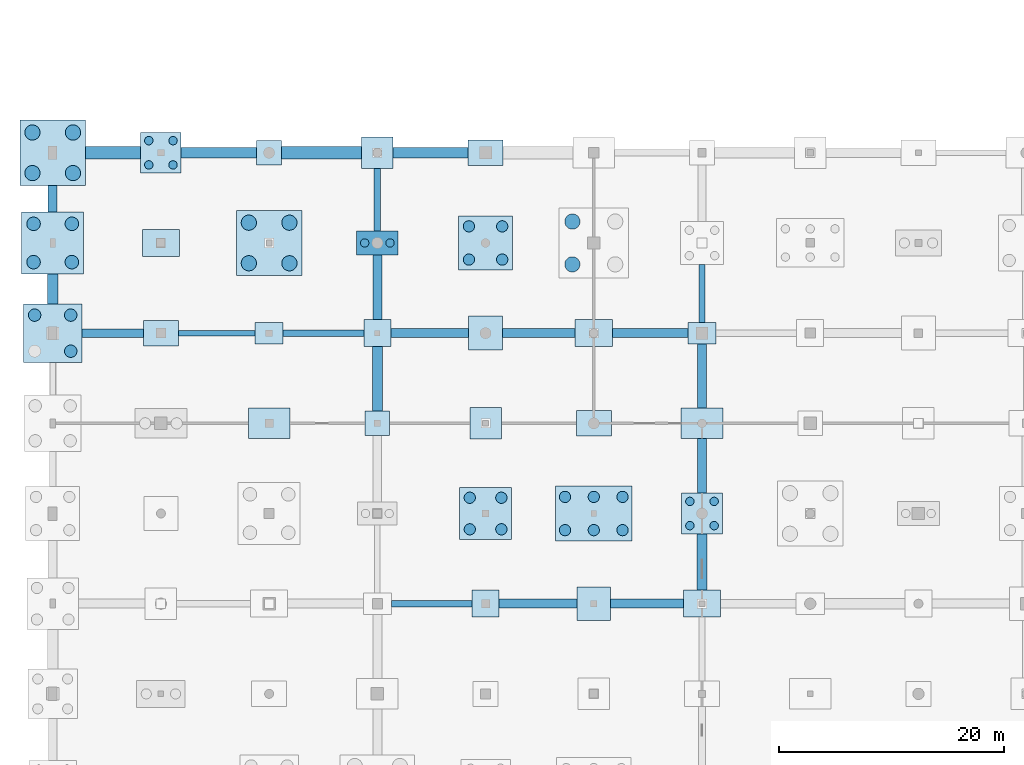
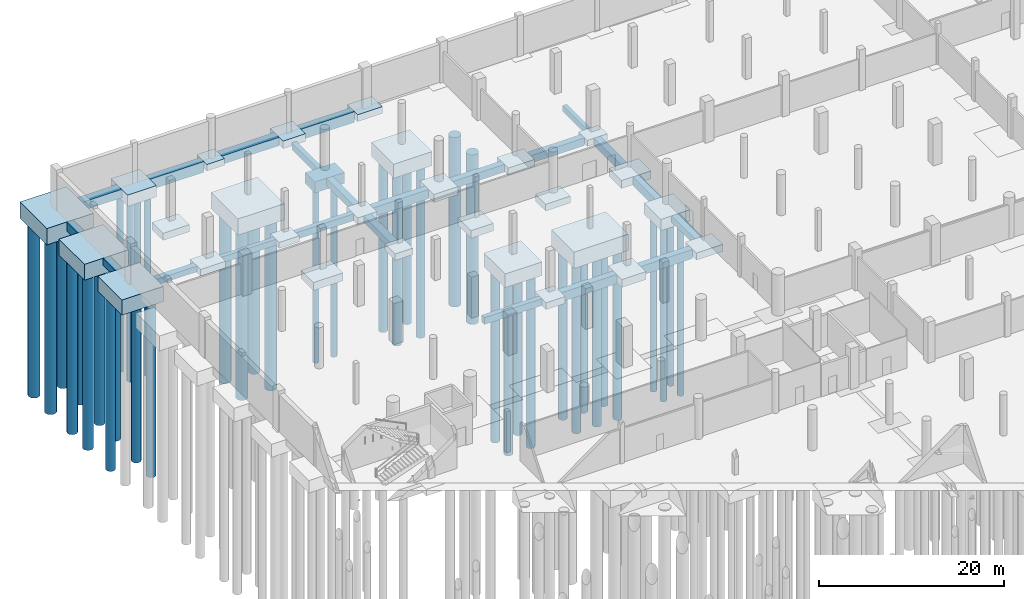
# One storey, part 7 of 44: 50 footings, 41 piles.
"""IFC4 building model written with IfcOpenShell, lengths in metres."""

from ifc_helpers import new_model, si_unit, direction, frame, origin, origin_2d, place, context, subcontext, project, spatial, rectangle, circle, extrude, material, material_profile, profile_set, type_object, element, save


model = new_model("IFC4")

# Units and contexts
model_context = context("Model", 3, precision=1e-05, world=origin(), true_north=direction((0.0, 1.0)))
body_context = subcontext(model_context, "Body", "Model", "MODEL_VIEW")
ifc_project = project(units=[si_unit("LENGTHUNIT", "METRE"), si_unit("AREAUNIT", "SQUARE_METRE"), si_unit("VOLUMEUNIT", "CUBIC_METRE"), si_unit("PLANEANGLEUNIT", "RADIAN"), si_unit("MASSUNIT", "GRAM", prefix="KILO")], contexts=[model_context])

# Site, building, storey
site_placement = place(None, origin())
site = spatial("IfcSite", under=ifc_project, at=site_placement, CompositionType="ELEMENT")
building_placement = place(site_placement, origin())
building = spatial("IfcBuilding", under=site, at=building_placement, Name="Danafjord Basin Convention Centre", CompositionType="ELEMENT")
storey_placement = place(building_placement, frame((0.0, 0.0, -5.39990234375)))
storey = spatial("IfcBuildingStorey", under=building, at=storey_placement, Name="B1", CompositionType="ELEMENT", Elevation=-5.39990234375)

# Footings
ifc_material_1 = material(Name="Concrete C40/50", Category="concrete")
footing_type_1 = type_object("IfcFootingType", Name="CAP-PC-02", PredefinedType="PILE_CAP", material=ifc_material_1)
footing_1_placement = place(storey_placement, frame((28.800048828125, 104.0, -2.05029296875), z_axis=(0.0, 0.0, 1.0), x_axis=(1.0, 0.0, 0.0)))
element("IfcFooting", 1, at=footing_1_placement, inside=storey, type_object=footing_type_1, Name="B1 pile cap PC-02 at (28.8, 104.0)", PredefinedType="PILE_CAP", context=body_context, shape_type="SweptSolid", body=[
    extrude(rectangle(XDim=3.699951171875, YDim=2.10009765625, at=origin_2d()), origin(), (0.0, 0.0, 1.0), 1.449951171875),
])
footing_type_2 = type_object("IfcFootingType", Name="CAP-PC-06", PredefinedType="PILE_CAP", material=ifc_material_1)
for number, where, z_axis, x_axis, name in (
    (2, (9.60009765625, 112.0, -1.5), (0.0, 0.0, 1.0), (1.0, 0.0, 0.0), "B1 pile cap PC-06 at (9.6, 112.0)"),
    (3, (57.60009765625, 80.0, -2.10009765625), (0.0, 0.0, 1.0), (1.0, 0.0, 0.0), "B1 pile cap PC-06 at (57.6, 80.0)"),
):
    element("IfcFooting", number, at=place(storey_placement, frame(where, z_axis=z_axis, x_axis=x_axis)), inside=storey, type_object=footing_type_2, Name=name, PredefinedType="PILE_CAP", context=body_context, shape_type="SweptSolid", body=[
        extrude(rectangle(XDim=3.60009765625, YDim=3.60009765625, at=origin_2d()), origin(), (0.0, 0.0, 1.0), 1.5),
    ])
footing_type_3 = type_object("IfcFootingType", Name="CAP-PC-10", PredefinedType="PILE_CAP", material=ifc_material_1)
footing_2_placement = place(storey_placement, frame((38.39990234375, 80.0, -2.39990234375), z_axis=(0.0, 0.0, 1.0), x_axis=(1.0, 0.0, 0.0)))
element("IfcFooting", 4, at=footing_2_placement, inside=storey, type_object=footing_type_3, Name="B1 pile cap PC-10 at (38.4, 80.0)", PredefinedType="PILE_CAP", context=body_context, shape_type="SweptSolid", body=[
    extrude(rectangle(XDim=4.60009765625, YDim=4.60009765625, at=origin_2d()), origin(), (0.0, 0.0, 1.0), 1.800048828125),
])
footing_type_4 = type_object("IfcFootingType", Name="CAP-PC-11", PredefinedType="PILE_CAP", material=ifc_material_1)
footing_3_placement = place(storey_placement, frame((38.39990234375, 104.0, -2.4501953125), z_axis=(0.0, 0.0, 1.0), x_axis=(1.0, 0.0, 0.0)))
element("IfcFooting", 5, at=footing_3_placement, inside=storey, type_object=footing_type_4, Name="B1 pile cap PC-11 at (38.4, 104.0)", PredefinedType="PILE_CAP", context=body_context, shape_type="SweptSolid", body=[
    extrude(rectangle(XDim=4.800048828125, YDim=4.800048828125, at=origin_2d()), origin(), (0.0, 0.0, 1.0), 1.85009765625),
])
footing_type_5 = type_object("IfcFootingType", Name="CAP-PC-13", PredefinedType="PILE_CAP", material=ifc_material_1)
footing_4_placement = place(storey_placement, frame((0.0, 96.0, -2.0), z_axis=(0.0, 0.0, 1.0), x_axis=(1.0, 0.0, 0.0)))
element("IfcFooting", 6, at=footing_4_placement, inside=storey, type_object=footing_type_5, Name="B1 pile cap PC-13 at (0.0, 96.0)", PredefinedType="PILE_CAP", context=body_context, shape_type="SweptSolid", body=[
    extrude(rectangle(XDim=5.199951171875, YDim=5.199951171875, at=origin_2d()), origin(), (0.0, 0.0, 1.0), 2.0),
])
footing_type_6 = type_object("IfcFootingType", Name="CAP-PC-14", PredefinedType="PILE_CAP", material=ifc_material_1)
footing_5_placement = place(storey_placement, frame((0.0, 104.0, -2.10009765625), z_axis=(0.0, 0.0, 1.0), x_axis=(1.0, 0.0, 0.0)))
element("IfcFooting", 7, at=footing_5_placement, inside=storey, type_object=footing_type_6, Name="B1 pile cap PC-14 at (0.0, 104.0)", PredefinedType="PILE_CAP", context=body_context, shape_type="SweptSolid", body=[
    extrude(rectangle(XDim=5.5, YDim=5.5, at=origin_2d()), origin(), (0.0, 0.0, 1.0), 2.10009765625),
])
footing_type_7 = type_object("IfcFootingType", Name="CAP-PC-15", PredefinedType="PILE_CAP", material=ifc_material_1)
for number, where, z_axis, x_axis, name in (
    (8, (0.0, 112.0, -2.150146484375), (0.0, 0.0, 1.0), (1.0, 0.0, 0.0), "B1 pile cap PC-15 at (0.0, 112.0)"),
    (9, (19.199951171875, 104.0, -2.75), (0.0, 0.0, 1.0), (1.0, 0.0, 0.0), "B1 pile cap PC-15 at (19.2, 104.0)"),
):
    element("IfcFooting", number, at=place(storey_placement, frame(where, z_axis=z_axis, x_axis=x_axis)), inside=storey, type_object=footing_type_7, Name=name, PredefinedType="PILE_CAP", context=body_context, shape_type="SweptSolid", body=[
        extrude(rectangle(XDim=5.800048828125, YDim=5.800048828125, at=origin_2d()), origin(), (0.0, 0.0, 1.0), 2.14990234375),
    ])
footing_type_8 = type_object("IfcFootingType", Name="CAP-PC-19", PredefinedType="PILE_CAP", material=ifc_material_1)
footing_6_placement = place(storey_placement, frame((48.0, 80.0, -2.75), z_axis=(0.0, 0.0, 1.0), x_axis=(1.0, 0.0, 0.0)))
element("IfcFooting", 10, at=footing_6_placement, inside=storey, type_object=footing_type_8, Name="B1 pile cap PC-19 at (48.0, 80.0)", PredefinedType="PILE_CAP", context=body_context, shape_type="SweptSolid", body=[
    extrude(rectangle(XDim=6.800048828125, YDim=4.89990234375, at=origin_2d()), origin(), (0.0, 0.0, 1.0), 2.14990234375),
])
ifc_material_profile_1 = material_profile(ifc_material_1, rectangle(XDim=0.800048828125, YDim=1.0, at=origin_2d()), Name="GB 800x1000")
ifc_profile_set_1 = profile_set([ifc_material_profile_1], Name="Concrete C40/50")
footing_type_9 = type_object("IfcFootingType", Name="FBM-FB-01", PredefinedType="FOOTING_BEAM", material=ifc_profile_set_1)
footing_7_placement = place(storey_placement, frame((28.800048828125, 97.199951171875, -1.10009765625), z_axis=(0.0, 1.0, 0.0), x_axis=(-1.0, 0.0, 0.0)))
element("IfcFooting", 11, at=footing_7_placement, inside=storey, type_object=footing_type_9, Name="B1 foundation tie beam FB-01", PredefinedType="FOOTING_BEAM", context=body_context, shape_type="SweptSolid", body=[
    extrude(rectangle(XDim=0.800048828125, YDim=1.0, at=origin_2d()), origin(), (0.0, 0.0, 1.0), 5.75),
])
footing_8_placement = place(storey_placement, frame((39.89990234375, 96.0, -1.10009765625), z_axis=(1.0, 0.0, 0.0), x_axis=(0.0, 1.0, 0.0)))
element("IfcFooting", 12, at=footing_8_placement, inside=storey, type_object=footing_type_9, Name="B1 foundation beam FB-01", PredefinedType="FOOTING_BEAM", context=body_context, shape_type="SweptSolid", body=[
    extrude(rectangle(XDim=0.800048828125, YDim=1.0, at=origin_2d()), origin(), (0.0, 0.0, 1.0), 6.4501953125),
])
footing_9_placement = place(storey_placement, frame((49.64990234375, 96.0, -1.10009765625), z_axis=(1.0, 0.0, 0.0), x_axis=(0.0, 1.0, 0.0)))
element("IfcFooting", 13, at=footing_9_placement, inside=storey, type_object=footing_type_9, Name="B1 foundation beam FB-01", PredefinedType="FOOTING_BEAM", context=body_context, shape_type="SweptSolid", body=[
    extrude(rectangle(XDim=0.800048828125, YDim=1.0, at=origin_2d()), origin(), (0.0, 0.0, 1.0), 6.7001953125),
])
footing_10_placement = place(storey_placement, frame((57.60009765625, 89.35009765625, -1.10009765625), z_axis=(0.0, 1.0, 0.0), x_axis=(-1.0, 0.0, 0.0)))
element("IfcFooting", 14, at=footing_10_placement, inside=storey, type_object=footing_type_9, Name="B1 foundation tie beam FB-01", PredefinedType="FOOTING_BEAM", context=body_context, shape_type="SweptSolid", body=[
    extrude(rectangle(XDim=0.800048828125, YDim=1.0, at=origin_2d()), origin(), (0.0, 0.0, 1.0), 5.699951171875),
])
ifc_material_profile_2 = material_profile(ifc_material_1, rectangle(XDim=0.60009765625, YDim=0.89990234375, at=origin_2d()), Name="GB 600x900")
ifc_profile_set_2 = profile_set([ifc_material_profile_2], Name="Concrete C40/50")
footing_type_10 = type_object("IfcFootingType", Name="FBM-FB-02", PredefinedType="FOOTING_BEAM", material=ifc_profile_set_2)
footing_11_placement = place(storey_placement, frame((20.449951171875, 96.0, -1.050048828125), z_axis=(1.0, 0.0, 0.0), x_axis=(0.0, 1.0, 0.0)))
element("IfcFooting", 15, at=footing_11_placement, inside=storey, type_object=footing_type_10, Name="B1 foundation beam FB-02", PredefinedType="FOOTING_BEAM", context=body_context, shape_type="SweptSolid", body=[
    extrude(rectangle(XDim=0.60009765625, YDim=0.89990234375, at=origin_2d()), origin(), (0.0, 0.0, 1.0), 7.150146484375),
])
footing_12_placement = place(storey_placement, frame((30.050048828125, 72.0, -1.050048828125), z_axis=(1.0, 0.0, 0.0), x_axis=(0.0, 1.0, 0.0)))
element("IfcFooting", 16, at=footing_12_placement, inside=storey, type_object=footing_type_10, Name="B1 foundation beam FB-02", PredefinedType="FOOTING_BEAM", context=body_context, shape_type="SweptSolid", body=[
    extrude(rectangle(XDim=0.60009765625, YDim=0.89990234375, at=origin_2d()), origin(), (0.0, 0.0, 1.0), 7.14990234375),
])
footing_13_placement = place(storey_placement, frame((28.800048828125, 105.050048828125, -1.050048828125), z_axis=(0.0, 1.0, 0.0), x_axis=(-1.0, 0.0, 0.0)))
element("IfcFooting", 17, at=footing_13_placement, inside=storey, type_object=footing_type_10, Name="B1 foundation tie beam FB-02", PredefinedType="FOOTING_BEAM", context=body_context, shape_type="SweptSolid", body=[
    extrude(rectangle(XDim=0.60009765625, YDim=0.89990234375, at=origin_2d()), origin(), (0.0, 0.0, 1.0), 5.550048828125),
])
ifc_material_profile_3 = material_profile(ifc_material_1, rectangle(XDim=0.5, YDim=0.800048828125, at=origin_2d()), Name="PCB 500x800")
ifc_profile_set_3 = profile_set([ifc_material_profile_3], Name="Concrete C40/50")
footing_type_11 = type_object("IfcFootingType", Name="FBM-FB-03", PredefinedType="FOOTING_BEAM", material=ifc_profile_set_3)
footing_14_placement = place(storey_placement, frame((11.14990234375, 96.0, -1.0), z_axis=(1.0, 0.0, 0.0), x_axis=(0.0, 1.0, 0.0)))
element("IfcFooting", 18, at=footing_14_placement, inside=storey, type_object=footing_type_11, Name="B1 foundation beam FB-03", PredefinedType="FOOTING_BEAM", context=body_context, shape_type="SweptSolid", body=[
    extrude(rectangle(XDim=0.5, YDim=0.800048828125, at=origin_2d()), origin(), (0.0, 0.0, 1.0), 6.800048828125),
])
footing_15_placement = place(storey_placement, frame((57.60009765625, 96.949951171875, -1.0), z_axis=(0.0, 1.0, 0.0), x_axis=(-1.0, 0.0, 0.0)))
element("IfcFooting", 19, at=footing_15_placement, inside=storey, type_object=footing_type_11, Name="B1 foundation tie beam FB-03", PredefinedType="FOOTING_BEAM", context=body_context, shape_type="SweptSolid", body=[
    extrude(rectangle(XDim=0.5, YDim=0.800048828125, at=origin_2d()), origin(), (0.0, 0.0, 1.0), 5.150146484375),
])
ifc_material_profile_4 = material_profile(ifc_material_1, rectangle(XDim=0.75, YDim=0.75, at=origin_2d()), Name="RC 750x750")
ifc_profile_set_4 = profile_set([ifc_material_profile_4], Name="Concrete C40/50")
footing_type_12 = type_object("IfcFootingType", Name="FBM-FB-04", PredefinedType="FOOTING_BEAM", material=ifc_profile_set_4)
footing_16_placement = place(storey_placement, frame((2.60009765625, 96.0, -0.97509765625), z_axis=(1.0, 0.0, 0.0), x_axis=(0.0, 1.0, 0.0)))
element("IfcFooting", 20, at=footing_16_placement, inside=storey, type_object=footing_type_12, Name="B1 foundation beam FB-04", PredefinedType="FOOTING_BEAM", context=body_context, shape_type="SweptSolid", body=[
    extrude(rectangle(XDim=0.75, YDim=0.75, at=origin_2d()), origin(), (0.0, 0.0, 1.0), 5.449951171875),
])
ifc_material_profile_5 = material_profile(ifc_material_1, rectangle(XDim=0.89990234375, YDim=0.89990234375, at=origin_2d()), Name="RC 900x900")
ifc_profile_set_5 = profile_set([ifc_material_profile_5], Name="Concrete C40/50")
footing_type_13 = type_object("IfcFootingType", Name="FBM-FB-05", PredefinedType="FOOTING_BEAM", material=ifc_profile_set_5)
footing_17_placement = place(storey_placement, frame((0.0, 98.60009765625, -0.4501953125), z_axis=(0.0, 1.0, 0.0), x_axis=(-1.0, 0.0, 0.0)))
element("IfcFooting", 21, at=footing_17_placement, inside=storey, type_object=footing_type_13, Name="B1 foundation tie beam FB-05", PredefinedType="FOOTING_BEAM", context=body_context, shape_type="SweptSolid", body=[
    extrude(rectangle(XDim=0.89990234375, YDim=0.89990234375, at=origin_2d()), origin(), (0.0, 0.0, 1.0), 2.64990234375),
])
footing_18_placement = place(storey_placement, frame((28.800048828125, 89.10009765625, -1.050048828125), z_axis=(0.0, 1.0, 0.0), x_axis=(-1.0, 0.0, 0.0)))
element("IfcFooting", 22, at=footing_18_placement, inside=storey, type_object=footing_type_13, Name="B1 foundation tie beam FB-05", PredefinedType="FOOTING_BEAM", context=body_context, shape_type="SweptSolid", body=[
    extrude(rectangle(XDim=0.89990234375, YDim=0.89990234375, at=origin_2d()), origin(), (0.0, 0.0, 1.0), 5.699951171875),
])
footing_19_placement = place(storey_placement, frame((57.60009765625, 73.199951171875, -1.050048828125), z_axis=(0.0, 1.0, 0.0), x_axis=(-1.0, 0.0, 0.0)))
element("IfcFooting", 23, at=footing_19_placement, inside=storey, type_object=footing_type_13, Name="B1 foundation tie beam FB-05", PredefinedType="FOOTING_BEAM", context=body_context, shape_type="SweptSolid", body=[
    extrude(rectangle(XDim=0.89990234375, YDim=0.89990234375, at=origin_2d()), origin(), (0.0, 0.0, 1.0), 5.0),
])
ifc_material_profile_6 = material_profile(ifc_material_1, rectangle(XDim=0.800048828125, YDim=1.199951171875, at=origin_2d()), Name="RC 1200x800")
ifc_profile_set_6 = profile_set([ifc_material_profile_6], Name="Concrete C40/50")
footing_type_14 = type_object("IfcFootingType", Name="FBM-FB-06", PredefinedType="FOOTING_BEAM", material=ifc_profile_set_6)
footing_20_placement = place(storey_placement, frame((0.0, 106.75, -0.60009765625), z_axis=(0.0, 1.0, 0.0), x_axis=(-1.0, 0.0, 0.0)))
element("IfcFooting", 24, at=footing_20_placement, inside=storey, type_object=footing_type_14, Name="B1 foundation tie beam FB-06", PredefinedType="FOOTING_BEAM", context=body_context, shape_type="SweptSolid", body=[
    extrude(rectangle(XDim=0.800048828125, YDim=1.199951171875, at=origin_2d()), origin(), (0.0, 0.0, 1.0), 2.35009765625),
])
for number, where, z_axis, x_axis, name in (
    (25, (30.0, 96.0, -1.2001953125), (1.0, 0.0, 0.0), (0.0, 1.0, 0.0), "B1 foundation beam FB-06"),
    (26, (39.60009765625, 72.0, -1.2001953125), (1.0, 0.0, 0.0), (0.0, 1.0, 0.0), "B1 foundation beam FB-06"),
):
    element("IfcFooting", number, at=place(storey_placement, frame(where, z_axis=z_axis, x_axis=x_axis)), inside=storey, type_object=footing_type_14, Name=name, PredefinedType="FOOTING_BEAM", context=body_context, shape_type="SweptSolid", body=[
        extrude(rectangle(XDim=0.800048828125, YDim=1.199951171875, at=origin_2d()), origin(), (0.0, 0.0, 1.0), 6.89990234375),
    ])
footing_21_placement = place(storey_placement, frame((49.5, 72.0, -1.2001953125), z_axis=(1.0, 0.0, 0.0), x_axis=(0.0, 1.0, 0.0)))
element("IfcFooting", 27, at=footing_21_placement, inside=storey, type_object=footing_type_14, Name="B1 foundation beam FB-06", PredefinedType="FOOTING_BEAM", context=body_context, shape_type="SweptSolid", body=[
    extrude(rectangle(XDim=0.800048828125, YDim=1.199951171875, at=origin_2d()), origin(), (0.0, 0.0, 1.0), 6.449951171875),
])
footing_22_placement = place(storey_placement, frame((57.60009765625, 81.800048828125, -1.2001953125), z_axis=(0.0, 1.0, 0.0), x_axis=(-1.0, 0.0, 0.0)))
element("IfcFooting", 28, at=footing_22_placement, inside=storey, type_object=footing_type_14, Name="B1 foundation tie beam FB-06", PredefinedType="FOOTING_BEAM", context=body_context, shape_type="SweptSolid", body=[
    extrude(rectangle(XDim=0.800048828125, YDim=1.199951171875, at=origin_2d()), origin(), (0.0, 0.0, 1.0), 4.849853515625),
])
ifc_material_profile_7 = material_profile(ifc_material_1, rectangle(XDim=1.10009765625, YDim=1.10009765625, at=origin_2d()), Name="RC 1100x1100")
ifc_profile_set_7 = profile_set([ifc_material_profile_7], Name="Concrete C40/50")
footing_type_15 = type_object("IfcFootingType", Name="FBM-SF-01", PredefinedType="STRIP_FOOTING", material=ifc_profile_set_7)
footing_23_placement = place(storey_placement, frame((2.89990234375, 112.0, -0.550048828125), z_axis=(1.0, 0.0, 0.0), x_axis=(0.0, 1.0, 0.0)))
element("IfcFooting", 29, at=footing_23_placement, inside=storey, type_object=footing_type_15, Name="B1 foundation beam SF-01", PredefinedType="STRIP_FOOTING", context=body_context, shape_type="SweptSolid", body=[
    extrude(rectangle(XDim=1.10009765625, YDim=1.10009765625, at=origin_2d()), origin(), (0.0, 0.0, 1.0), 4.900146484375),
])
footing_24_placement = place(storey_placement, frame((20.300048828125, 112.0, -0.550048828125), z_axis=(1.0, 0.0, 0.0), x_axis=(0.0, 1.0, 0.0)))
element("IfcFooting", 30, at=footing_24_placement, inside=storey, type_object=footing_type_15, Name="B1 foundation beam SF-01", PredefinedType="STRIP_FOOTING", context=body_context, shape_type="SweptSolid", body=[
    extrude(rectangle(XDim=1.10009765625, YDim=1.10009765625, at=origin_2d()), origin(), (0.0, 0.0, 1.0), 7.099853515625),
])
ifc_material_profile_8 = material_profile(ifc_material_1, rectangle(XDim=0.89990234375, YDim=1.39990234375, at=origin_2d()), Name="RC 1400x900")
ifc_profile_set_8 = profile_set([ifc_material_profile_8], Name="Concrete C40/50")
footing_type_16 = type_object("IfcFootingType", Name="FBM-SF-02", PredefinedType="STRIP_FOOTING", material=ifc_profile_set_8)
footing_25_placement = place(storey_placement, frame((11.39990234375, 112.0, -0.7001953125), z_axis=(1.0, 0.0, 0.0), x_axis=(0.0, 1.0, 0.0)))
element("IfcFooting", 31, at=footing_25_placement, inside=storey, type_object=footing_type_16, Name="B1 foundation beam SF-02", PredefinedType="STRIP_FOOTING", context=body_context, shape_type="SweptSolid", body=[
    extrude(rectangle(XDim=0.89990234375, YDim=1.39990234375, at=origin_2d()), origin(), (0.0, 0.0, 1.0), 6.7001953125),
])
footing_26_placement = place(storey_placement, frame((30.199951171875, 112.0, -0.7001953125), z_axis=(1.0, 0.0, 0.0), x_axis=(0.0, 1.0, 0.0)))
element("IfcFooting", 32, at=footing_26_placement, inside=storey, type_object=footing_type_16, Name="B1 foundation beam SF-02", PredefinedType="STRIP_FOOTING", context=body_context, shape_type="SweptSolid", body=[
    extrude(rectangle(XDim=0.89990234375, YDim=1.39990234375, at=origin_2d()), origin(), (0.0, 0.0, 1.0), 6.650146484375),
])
ifc_material_2 = material(Name="Concrete C35/45", Category="concrete")
footing_type_17 = type_object("IfcFootingType", Name="PAD-PF-02", PredefinedType="PAD_FOOTING", material=ifc_material_2)
for number, where, z_axis, x_axis, name in (
    (33, (19.199951171875, 112.0, -0.85009765625), (0.0, 0.0, 1.0), (1.0, 0.0, 0.0), "B1 pad footing PF-02 at (19.2, 112.0)"),
    (34, (28.800048828125, 88.0, -1.4501953125), (0.0, 0.0, 1.0), (1.0, 0.0, 0.0), "B1 pad footing PF-02 at (28.8, 88.0)"),
):
    element("IfcFooting", number, at=place(storey_placement, frame(where, z_axis=z_axis, x_axis=x_axis)), inside=storey, type_object=footing_type_17, Name=name, PredefinedType="PAD_FOOTING", context=body_context, shape_type="SweptSolid", body=[
        extrude(rectangle(XDim=2.199951171875, YDim=2.199951171875, at=origin_2d()), origin(), (0.0, 0.0, 1.0), 0.85009765625),
    ])
footing_type_18 = type_object("IfcFootingType", Name="PAD-PF-03", PredefinedType="PAD_FOOTING", material=ifc_material_2)
for number, where, z_axis, x_axis, name in (
    (35, (28.800048828125, 96.0, -1.5), (0.0, 0.0, 1.0), (1.0, 0.0, 0.0), "B1 pad footing PF-03 at (28.8, 96.0)"),
    (36, (38.39990234375, 72.0, -1.5), (0.0, 0.0, 1.0), (1.0, 0.0, 0.0), "B1 pad footing PF-03 at (38.4, 72.0)"),
):
    element("IfcFooting", number, at=place(storey_placement, frame(where, z_axis=z_axis, x_axis=x_axis)), inside=storey, type_object=footing_type_18, Name=name, PredefinedType="PAD_FOOTING", context=body_context, shape_type="SweptSolid", body=[
        extrude(rectangle(XDim=2.39990234375, YDim=2.39990234375, at=origin_2d()), origin(), (0.0, 0.0, 1.0), 0.89990234375),
    ])
footing_type_19 = type_object("IfcFootingType", Name="PAD-PF-05", PredefinedType="PAD_FOOTING", material=ifc_material_2)
for number, where, z_axis, x_axis, name in (
    (37, (28.800048828125, 112.0, -1.0), (0.0, 0.0, 1.0), (1.0, 0.0, 0.0), "B1 pad footing PF-05 at (28.8, 112.0)"),
    (38, (38.39990234375, 88.0, -1.60009765625), (0.0, 0.0, 1.0), (1.0, 0.0, 0.0), "B1 pad footing PF-05 at (38.4, 88.0)"),
):
    element("IfcFooting", number, at=place(storey_placement, frame(where, z_axis=z_axis, x_axis=x_axis)), inside=storey, type_object=footing_type_19, Name=name, PredefinedType="PAD_FOOTING", context=body_context, shape_type="SweptSolid", body=[
        extrude(rectangle(XDim=2.800048828125, YDim=2.800048828125, at=origin_2d()), origin(), (0.0, 0.0, 1.0), 1.0),
    ])
footing_type_20 = type_object("IfcFootingType", Name="PAD-PF-06", PredefinedType="PAD_FOOTING", material=ifc_material_2)
for number, where, z_axis, x_axis, name in (
    (39, (38.39990234375, 96.0, -1.64990234375), (0.0, 0.0, 1.0), (1.0, 0.0, 0.0), "B1 pad footing PF-06 at (38.4, 96.0)"),
    (40, (48.0, 72.0, -1.64990234375), (0.0, 0.0, 1.0), (1.0, 0.0, 0.0), "B1 pad footing PF-06 at (48.0, 72.0)"),
):
    element("IfcFooting", number, at=place(storey_placement, frame(where, z_axis=z_axis, x_axis=x_axis)), inside=storey, type_object=footing_type_20, Name=name, PredefinedType="PAD_FOOTING", context=body_context, shape_type="SweptSolid", body=[
        extrude(rectangle(XDim=3.0, YDim=3.0, at=origin_2d()), origin(), (0.0, 0.0, 1.0), 1.050048828125),
    ])
footing_type_21 = type_object("IfcFootingType", Name="PAD-PF-08", PredefinedType="PAD_FOOTING", material=ifc_material_2)
for number, where, z_axis, x_axis, name in (
    (41, (9.60009765625, 96.0, -1.5), (0.0, 0.0, 1.0), (1.0, 0.0, 0.0), "B1 pad footing PF-08 at (9.6, 96.0)"),
    (42, (38.39990234375, 112.0, -0.900146484375), (0.0, 0.0, 1.0), (1.0, 0.0, 0.0), "B1 pad footing PF-08 at (38.4, 112.0)"),
    (43, (48.0, 88.0, -1.5), (0.0, 0.0, 1.0), (1.0, 0.0, 0.0), "B1 pad footing PF-08 at (48.0, 88.0)"),
):
    element("IfcFooting", number, at=place(storey_placement, frame(where, z_axis=z_axis, x_axis=x_axis)), inside=storey, type_object=footing_type_21, Name=name, PredefinedType="PAD_FOOTING", context=body_context, shape_type="SweptSolid", body=[
        extrude(rectangle(XDim=3.10009765625, YDim=2.25, at=origin_2d()), origin(), (0.0, 0.0, 1.0), 0.89990234375),
    ])
footing_type_22 = type_object("IfcFootingType", Name="PAD-PF-09", PredefinedType="PAD_FOOTING", material=ifc_material_2)
for number, where, z_axis, x_axis, name in (
    (44, (9.60009765625, 104.0, -1.55029296875), (0.0, 0.0, 1.0), (1.0, 0.0, 0.0), "B1 pad footing PF-09 at (9.6, 104.0)"),
    (45, (48.0, 96.0, -1.55029296875), (0.0, 0.0, 1.0), (1.0, 0.0, 0.0), "B1 pad footing PF-09 at (48.0, 96.0)"),
    (46, (57.60009765625, 72.0, -1.55029296875), (0.0, 0.0, 1.0), (1.0, 0.0, 0.0), "B1 pad footing PF-09 at (57.6, 72.0)"),
):
    element("IfcFooting", number, at=place(storey_placement, frame(where, z_axis=z_axis, x_axis=x_axis)), inside=storey, type_object=footing_type_22, Name=name, PredefinedType="PAD_FOOTING", context=body_context, shape_type="SweptSolid", body=[
        extrude(rectangle(XDim=3.300048828125, YDim=2.39990234375, at=origin_2d()), origin(), (0.0, 0.0, 1.0), 0.949951171875),
    ])
footing_type_23 = type_object("IfcFootingType", Name="PAD-PF-11", PredefinedType="PAD_FOOTING", material=ifc_material_2)
for number, where, z_axis, x_axis, name in (
    (47, (19.199951171875, 88.0, -1.64990234375), (0.0, 0.0, 1.0), (1.0, 0.0, 0.0), "B1 pad footing PF-11 at (19.2, 88.0)"),
    (48, (57.60009765625, 88.0, -1.64990234375), (0.0, 0.0, 1.0), (1.0, 0.0, 0.0), "B1 pad footing PF-11 at (57.6, 88.0)"),
):
    element("IfcFooting", number, at=place(storey_placement, frame(where, z_axis=z_axis, x_axis=x_axis)), inside=storey, type_object=footing_type_23, Name=name, PredefinedType="PAD_FOOTING", context=body_context, shape_type="SweptSolid", body=[
        extrude(rectangle(XDim=3.699951171875, YDim=2.699951171875, at=origin_2d()), origin(), (0.0, 0.0, 1.0), 1.050048828125),
    ])
footing_type_24 = type_object("IfcFootingType", Name="PAD-PF-12", PredefinedType="PAD_FOOTING", material=ifc_material_2)
for number, where, z_axis, x_axis, name in (
    (49, (19.199951171875, 96.0, -1.39990234375), (0.0, 0.0, 1.0), (1.0, 0.0, 0.0), "B1 pad footing PF-12 at (19.2, 96.0)"),
    (50, (57.60009765625, 96.0, -1.39990234375), (0.0, 0.0, 1.0), (1.0, 0.0, 0.0), "B1 pad footing PF-12 at (57.6, 96.0)"),
):
    element("IfcFooting", number, at=place(storey_placement, frame(where, z_axis=z_axis, x_axis=x_axis)), inside=storey, type_object=footing_type_24, Name=name, PredefinedType="PAD_FOOTING", context=body_context, shape_type="SweptSolid", body=[
        extrude(rectangle(XDim=2.5, YDim=1.89990234375, at=origin_2d()), origin(), (0.0, 0.0, 1.0), 0.800048828125),
    ])

# Piles
ifc_material_profile_9 = material_profile(ifc_material_1, circle(Radius=0.5, at=origin_2d()), Name="PILE D1000")
ifc_profile_set_9 = profile_set([ifc_material_profile_9], Name="Concrete C40/50")
pile_type_1 = type_object("IfcPileType", Name="PILE-PL-1000", PredefinedType="BORED", material=ifc_profile_set_9)
for number, where, z_axis, x_axis, name in (
    (51, (37.0, 78.60009765625, -2.300048828125), (0.0, 0.0, -1.0), (1.0, 0.0, 0.0), "PC-10 bored pile 1-1"),
    (52, (37.0, 81.39990234375, -2.300048828125), (0.0, 0.0, -1.0), (1.0, 0.0, 0.0), "PC-10 bored pile 1-2"),
    (53, (39.800048828125, 78.60009765625, -2.300048828125), (0.0, 0.0, -1.0), (1.0, 0.0, 0.0), "PC-10 bored pile 2-1"),
    (54, (39.800048828125, 81.39990234375, -2.300048828125), (0.0, 0.0, -1.0), (1.0, 0.0, 0.0), "PC-10 bored pile 2-2"),
):
    element("IfcPile", number, at=place(storey_placement, frame(where, z_axis=z_axis, x_axis=x_axis)), inside=storey, type_object=pile_type_1, Name=name, PredefinedType="BORED", context=body_context, shape_type="SweptSolid", body=[
        extrude(circle(Radius=0.5, at=origin_2d()), origin(), (0.0, 0.0, 1.0), 22.800048828125),
    ])
for number, where, z_axis, x_axis, name in (
    (55, (36.925048828125, 102.52490234375, -2.35009765625), (0.0, 0.0, -1.0), (1.0, 0.0, 0.0), "PC-11 bored pile 1-1"),
    (56, (36.925048828125, 105.47509765625, -2.35009765625), (0.0, 0.0, -1.0), (1.0, 0.0, 0.0), "PC-11 bored pile 1-2"),
    (57, (39.875, 102.52490234375, -2.35009765625), (0.0, 0.0, -1.0), (1.0, 0.0, 0.0), "PC-11 bored pile 2-1"),
    (58, (39.875, 105.47509765625, -2.35009765625), (0.0, 0.0, -1.0), (1.0, 0.0, 0.0), "PC-11 bored pile 2-2"),
):
    element("IfcPile", number, at=place(storey_placement, frame(where, z_axis=z_axis, x_axis=x_axis)), inside=storey, type_object=pile_type_1, Name=name, PredefinedType="BORED", context=body_context, shape_type="SweptSolid", body=[
        extrude(circle(Radius=0.5, at=origin_2d()), origin(), (0.0, 0.0, 1.0), 22.75),
    ])
for number, where, z_axis, x_axis, name in (
    (59, (45.449951171875, 78.52490234375, -2.650146484375), (0.0, 0.0, -1.0), (1.0, 0.0, 0.0), "PC-19 bored pile 1-1"),
    (60, (45.449951171875, 81.47509765625, -2.650146484375), (0.0, 0.0, -1.0), (1.0, 0.0, 0.0), "PC-19 bored pile 1-2"),
    (61, (48.0, 78.52490234375, -2.650146484375), (0.0, 0.0, -1.0), (1.0, 0.0, 0.0), "PC-19 bored pile 2-1"),
    (62, (48.0, 81.47509765625, -2.650146484375), (0.0, 0.0, -1.0), (1.0, 0.0, 0.0), "PC-19 bored pile 2-2"),
    (63, (50.550048828125, 78.52490234375, -2.650146484375), (0.0, 0.0, -1.0), (1.0, 0.0, 0.0), "PC-19 bored pile 3-1"),
    (64, (50.550048828125, 81.47509765625, -2.650146484375), (0.0, 0.0, -1.0), (1.0, 0.0, 0.0), "PC-19 bored pile 3-2"),
):
    element("IfcPile", number, at=place(storey_placement, frame(where, z_axis=z_axis, x_axis=x_axis)), inside=storey, type_object=pile_type_1, Name=name, PredefinedType="BORED", context=body_context, shape_type="SweptSolid", body=[
        extrude(circle(Radius=0.5, at=origin_2d()), origin(), (0.0, 0.0, 1.0), 22.449951171875),
    ])
ifc_material_profile_10 = material_profile(ifc_material_1, circle(Radius=0.550048828125, at=origin_2d()), Name="PILE D1100")
ifc_profile_set_10 = profile_set([ifc_material_profile_10], Name="Concrete C40/50")
pile_type_2 = type_object("IfcPileType", Name="PILE-PL-1100", PredefinedType="BORED", material=ifc_profile_set_10)
for number, where, z_axis, x_axis, name in (
    (65, (-1.60009765625, 97.60009765625, -1.900146484375), (0.0, 0.0, -1.0), (1.0, 0.0, 0.0), "PC-13 bored pile 1-2"),
    (66, (1.60009765625, 94.39990234375, -1.900146484375), (0.0, 0.0, -1.0), (1.0, 0.0, 0.0), "PC-13 bored pile 2-1"),
    (67, (1.60009765625, 97.60009765625, -1.900146484375), (0.0, 0.0, -1.0), (1.0, 0.0, 0.0), "PC-13 bored pile 2-2"),
):
    element("IfcPile", number, at=place(storey_placement, frame(where, z_axis=z_axis, x_axis=x_axis)), inside=storey, type_object=pile_type_2, Name=name, PredefinedType="BORED", context=body_context, shape_type="SweptSolid", body=[
        extrude(circle(Radius=0.550048828125, at=origin_2d()), origin(), (0.0, 0.0, 1.0), 23.199951171875),
    ])
ifc_material_profile_11 = material_profile(ifc_material_1, circle(Radius=0.60009765625, at=origin_2d()), Name="PILE D1200")
ifc_profile_set_11 = profile_set([ifc_material_profile_11], Name="Concrete C40/50")
pile_type_3 = type_object("IfcPileType", Name="PILE-PL-1200", PredefinedType="BORED", material=ifc_profile_set_11)
for number, where, z_axis, x_axis, name in (
    (68, (-1.699951171875, 102.300048828125, -2.0), (0.0, 0.0, -1.0), (1.0, 0.0, 0.0), "PC-14 bored pile 1-1"),
    (69, (-1.699951171875, 105.699951171875, -2.0), (0.0, 0.0, -1.0), (1.0, 0.0, 0.0), "PC-14 bored pile 1-2"),
    (70, (1.699951171875, 102.300048828125, -2.0), (0.0, 0.0, -1.0), (1.0, 0.0, 0.0), "PC-14 bored pile 2-1"),
    (71, (1.699951171875, 105.699951171875, -2.0), (0.0, 0.0, -1.0), (1.0, 0.0, 0.0), "PC-14 bored pile 2-2"),
):
    element("IfcPile", number, at=place(storey_placement, frame(where, z_axis=z_axis, x_axis=x_axis)), inside=storey, type_object=pile_type_3, Name=name, PredefinedType="BORED", context=body_context, shape_type="SweptSolid", body=[
        extrude(circle(Radius=0.60009765625, at=origin_2d()), origin(), (0.0, 0.0, 1.0), 23.10009765625),
    ])
ifc_material_profile_12 = material_profile(ifc_material_1, circle(Radius=0.675048828125, at=origin_2d()), Name="PILE D1350")
ifc_profile_set_12 = profile_set([ifc_material_profile_12], Name="Concrete C40/50")
pile_type_4 = type_object("IfcPileType", Name="PILE-PL-1350", PredefinedType="BORED", material=ifc_profile_set_12)
for number, where, z_axis, x_axis, name in (
    (72, (-1.800048828125, 110.199951171875, -2.050048828125), (0.0, 0.0, -1.0), (1.0, 0.0, 0.0), "PC-15 bored pile 1-1"),
    (73, (-1.800048828125, 113.800048828125, -2.050048828125), (0.0, 0.0, -1.0), (1.0, 0.0, 0.0), "PC-15 bored pile 1-2"),
    (74, (1.800048828125, 110.199951171875, -2.050048828125), (0.0, 0.0, -1.0), (1.0, 0.0, 0.0), "PC-15 bored pile 2-1"),
    (75, (1.800048828125, 113.800048828125, -2.050048828125), (0.0, 0.0, -1.0), (1.0, 0.0, 0.0), "PC-15 bored pile 2-2"),
):
    element("IfcPile", number, at=place(storey_placement, frame(where, z_axis=z_axis, x_axis=x_axis)), inside=storey, type_object=pile_type_4, Name=name, PredefinedType="BORED", context=body_context, shape_type="SweptSolid", body=[
        extrude(circle(Radius=0.675048828125, at=origin_2d()), origin(), (0.0, 0.0, 1.0), 23.050048828125),
    ])
for number, where, z_axis, x_axis, name in (
    (76, (17.39990234375, 102.199951171875, -2.650146484375), (0.0, 0.0, -1.0), (1.0, 0.0, 0.0), "PC-15 bored pile 1-1"),
    (77, (17.39990234375, 105.800048828125, -2.650146484375), (0.0, 0.0, -1.0), (1.0, 0.0, 0.0), "PC-15 bored pile 1-2"),
    (78, (21.0, 102.199951171875, -2.650146484375), (0.0, 0.0, -1.0), (1.0, 0.0, 0.0), "PC-15 bored pile 2-1"),
    (79, (21.0, 105.800048828125, -2.650146484375), (0.0, 0.0, -1.0), (1.0, 0.0, 0.0), "PC-15 bored pile 2-2"),
):
    element("IfcPile", number, at=place(storey_placement, frame(where, z_axis=z_axis, x_axis=x_axis)), inside=storey, type_object=pile_type_4, Name=name, PredefinedType="BORED", context=body_context, shape_type="SweptSolid", body=[
        extrude(circle(Radius=0.675048828125, at=origin_2d()), origin(), (0.0, 0.0, 1.0), 22.449951171875),
    ])
for number, where, z_axis, x_axis, name in (
    (80, (46.10009765625, 102.10009765625, -2.75), (0.0, 0.0, -1.0), (1.0, 0.0, 0.0), "PC-20 bored pile 1-1"),
    (81, (46.10009765625, 105.89990234375, -2.75), (0.0, 0.0, -1.0), (1.0, 0.0, 0.0), "PC-20 bored pile 1-2"),
):
    element("IfcPile", number, at=place(storey_placement, frame(where, z_axis=z_axis, x_axis=x_axis)), inside=storey, type_object=pile_type_4, Name=name, PredefinedType="BORED", context=body_context, shape_type="SweptSolid", body=[
        extrude(circle(Radius=0.675048828125, at=origin_2d()), origin(), (0.0, 0.0, 1.0), 22.35009765625),
    ])
ifc_material_profile_13 = material_profile(ifc_material_1, circle(Radius=0.375, at=origin_2d()), Name="PILE D750")
ifc_profile_set_13 = profile_set([ifc_material_profile_13], Name="Concrete C40/50")
pile_type_5 = type_object("IfcPileType", Name="PILE-PL-750", PredefinedType="BORED", material=ifc_profile_set_13)
for number, where, z_axis, x_axis, name in (
    (82, (8.52490234375, 110.925048828125, -1.400146484375), (0.0, 0.0, -1.0), (1.0, 0.0, 0.0), "PC-06 bored pile 1-1"),
    (83, (8.52490234375, 113.074951171875, -1.400146484375), (0.0, 0.0, -1.0), (1.0, 0.0, 0.0), "PC-06 bored pile 1-2"),
    (84, (10.675048828125, 110.925048828125, -1.400146484375), (0.0, 0.0, -1.0), (1.0, 0.0, 0.0), "PC-06 bored pile 2-1"),
    (85, (10.675048828125, 113.074951171875, -1.400146484375), (0.0, 0.0, -1.0), (1.0, 0.0, 0.0), "PC-06 bored pile 2-2"),
):
    element("IfcPile", number, at=place(storey_placement, frame(where, z_axis=z_axis, x_axis=x_axis)), inside=storey, type_object=pile_type_5, Name=name, PredefinedType="BORED", context=body_context, shape_type="SweptSolid", body=[
        extrude(circle(Radius=0.375, at=origin_2d()), origin(), (0.0, 0.0, 1.0), 23.699951171875),
    ])
for number, where, z_axis, x_axis, name in (
    (86, (27.675048828125, 104.0, -1.9501953125), (0.0, 0.0, -1.0), (1.0, 0.0, 0.0), "PC-02 bored pile 1-1"),
    (87, (29.925048828125, 104.0, -1.9501953125), (0.0, 0.0, -1.0), (1.0, 0.0, 0.0), "PC-02 bored pile 2-1"),
):
    element("IfcPile", number, at=place(storey_placement, frame(where, z_axis=z_axis, x_axis=x_axis)), inside=storey, type_object=pile_type_5, Name=name, PredefinedType="BORED", context=body_context, shape_type="SweptSolid", body=[
        extrude(circle(Radius=0.375, at=origin_2d()), origin(), (0.0, 0.0, 1.0), 23.14990234375),
    ])
for number, where, z_axis, x_axis, name in (
    (88, (56.52490234375, 78.925048828125, -2.0), (0.0, 0.0, -1.0), (1.0, 0.0, 0.0), "PC-06 bored pile 1-1"),
    (89, (56.52490234375, 81.074951171875, -2.0), (0.0, 0.0, -1.0), (1.0, 0.0, 0.0), "PC-06 bored pile 1-2"),
    (90, (58.675048828125, 78.925048828125, -2.0), (0.0, 0.0, -1.0), (1.0, 0.0, 0.0), "PC-06 bored pile 2-1"),
    (91, (58.675048828125, 81.074951171875, -2.0), (0.0, 0.0, -1.0), (1.0, 0.0, 0.0), "PC-06 bored pile 2-2"),
):
    element("IfcPile", number, at=place(storey_placement, frame(where, z_axis=z_axis, x_axis=x_axis)), inside=storey, type_object=pile_type_5, Name=name, PredefinedType="BORED", context=body_context, shape_type="SweptSolid", body=[
        extrude(circle(Radius=0.375, at=origin_2d()), origin(), (0.0, 0.0, 1.0), 23.10009765625),
    ])

save(model, "model.ifc")
